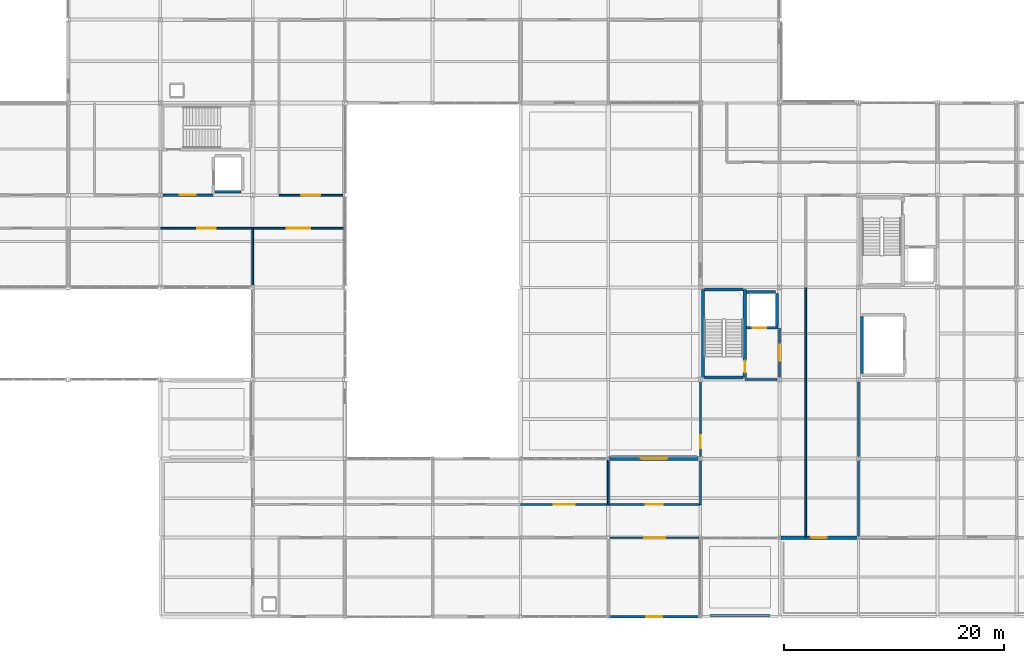
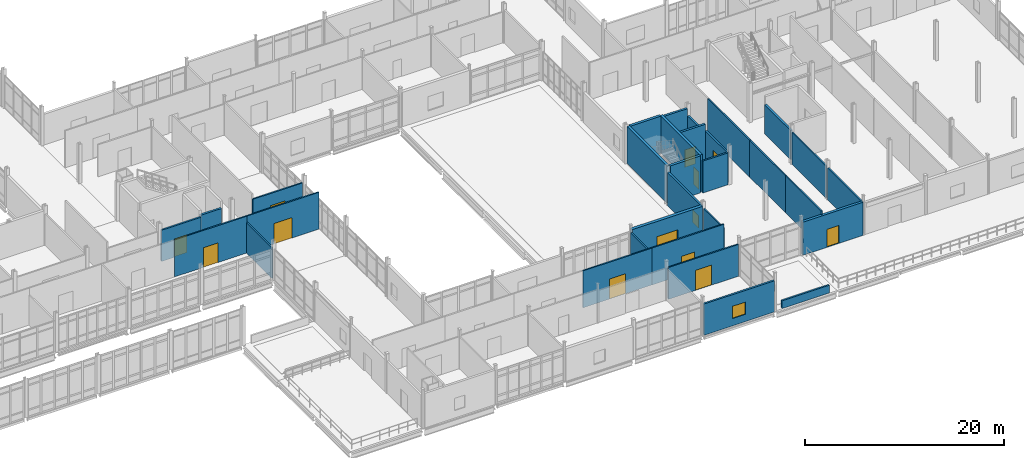
# One storey, part 161 of 186: 31 walls, 11 doors, 3 windows, 14 openings.
"""IFC4 building model written with IfcOpenShell, lengths in metres."""

from ifc_helpers import new_model, si_unit, direction, frame, frame_2d, origin, place, context, subcontext, project, spatial, rectangle, extrude, material, layer, layer_set, type_object, element, fill, save


model = new_model("IFC4")

# Units and contexts
model_context = context("Model", 3, precision=1e-05, world=origin(), true_north=direction((0.0, 1.0)))
body_context = subcontext(model_context, "Body", "Model", "MODEL_VIEW")
ifc_project = project(units=[si_unit("LENGTHUNIT", "METRE"), si_unit("AREAUNIT", "SQUARE_METRE"), si_unit("VOLUMEUNIT", "CUBIC_METRE"), si_unit("PLANEANGLEUNIT", "RADIAN"), si_unit("MASSUNIT", "GRAM", prefix="KILO")], contexts=[model_context])

# Site, building, storey
site_placement = place(None, origin())
site = spatial("IfcSite", under=ifc_project, at=site_placement, CompositionType="ELEMENT")
building_placement = place(site_placement, origin())
building = spatial("IfcBuilding", under=site, at=building_placement, Name="Calvrana Isthmian Art Gallery", CompositionType="ELEMENT")
storey_placement = place(building_placement, frame((0.0, 0.0, 5.39990234375)))
storey = spatial("IfcBuildingStorey", under=building, at=storey_placement, Name="L01", CompositionType="ELEMENT", Elevation=5.39990234375)

# Wall
ifc_material_1 = material(Name="Concrete C40/50", Category="concrete")
ifc_layer_1 = layer(ifc_material_1, 0.300048828125, Name="Concrete C40/50")
ifc_layer_set_1 = layer_set([ifc_layer_1], Name="Concrete C40/50")
wall_type_1 = type_object("IfcWallType", Name="CW-SHAFT-300", PredefinedType="SHEAR", material=ifc_layer_set_1)
wall_1_placement = place(storey_placement, frame((113.02001953125, 21.7900390625, 0.0), z_axis=(0.0, 0.0, 1.0), x_axis=(0.0, 1.0, 0.0)))
element("IfcWall", 1, at=wall_1_placement, inside=storey, type_object=wall_type_1, Name="Core C3 shear wall W L01", PredefinedType="SHEAR", context=body_context, shape_type="SweptSolid", body=[
    extrude(rectangle(XDim=8.02001953125, YDim=0.300048828125, at=frame_2d((4.010009765625, 0.0))), origin(), (0.0, 0.0, 1.0), 4.5400390625),
])

# Wall, opening, door
wall_2_placement = place(storey_placement, frame((116.840087890625, 21.7900390625, 0.0), z_axis=(0.0, 0.0, 1.0), x_axis=(0.0, 1.0, 0.0)))
wall_2 = element("IfcWall", 2, at=wall_2_placement, inside=storey, type_object=wall_type_1, Name="Core C3 shear wall E L01", PredefinedType="SHEAR", context=body_context, shape_type="SweptSolid", body=[
    extrude(rectangle(XDim=8.02001953125, YDim=0.300048828125, at=frame_2d((4.010009765625, 0.0))), origin(), (0.0, 0.0, 1.0), 4.5400390625),
])
opening_1_placement = place(wall_2_placement, frame((0.449951171875, 0.0, 0.0)))
opening_1 = element("IfcOpeningElement", 3, at=opening_1_placement, cuts=wall_2, Name="Opening D-132", PredefinedType="OPENING", context=body_context, shape_type="SweptSolid", body=[
    extrude(rectangle(XDim=1.10009765625, YDim=2.14990234375, at=frame_2d((0.550048828125, 1.074951171875))), frame((0.0, 0.16015625, 0.0), z_axis=(0.0, -1.0, 0.0), x_axis=(1.0, 0.0, 0.0)), (0.0, 0.0, 1.0), 0.320556640625),
])
ifc_material_2 = material(Name="Steel ASTM A572 Gr 50", Category="steel")
door_type_1 = type_object("IfcDoorType", Name="DR-FIRE-1100", OperationType="NOTDEFINED", PredefinedType="DOOR", material=ifc_material_2)
door_1_placement = place(opening_1_placement, origin())
door_1 = element("IfcDoor", 4, at=door_1_placement, inside=storey, type_object=door_type_1, Name="Stair ST-3 fire door L01", OperationType="SINGLE_SWING_LEFT", OverallHeight=2.14990234375, OverallWidth=1.10009765625, PredefinedType="DOOR", context=body_context, shape_type="SweptSolid", body=[
    extrude(rectangle(XDim=1.10009765625, YDim=2.14990234375, at=frame_2d((0.550048828125, 1.074951171875))), frame((0.0, 0.02490234375, 0.0), z_axis=(0.0, -1.0, 0.0), x_axis=(1.0, 0.0, 0.0)), (0.0, 0.0, 1.0), 0.050048828125),
])
fill(opening_1, door_1)

# Walls
for number, where, z_axis, x_axis, name in (
    (5, (113.169921875, 21.7900390625, 0.0), (0.0, 0.0, 1.0), (1.0, 0.0, 0.0), "Core C3 shear wall S L01"),
    (6, (113.169921875, 29.81005859375, 0.0), (0.0, 0.0, 1.0), (1.0, 0.0, 0.0), "Core C3 shear wall N L01"),
):
    element("IfcWall", number, at=place(storey_placement, frame(where, z_axis=z_axis, x_axis=x_axis)), inside=storey, type_object=wall_type_1, Name=name, PredefinedType="SHEAR", context=body_context, shape_type="SweptSolid", body=[
        extrude(rectangle(XDim=3.52001953125, YDim=0.300048828125, at=frame_2d((1.760009765625, 0.0))), origin(), (0.0, 0.0, 1.0), 4.5400390625),
    ])

# Wall, opening, window
ifc_material_3 = material(Name="Precast concrete C40/50", Category="concrete")
ifc_layer_2 = layer(ifc_material_3, 0.219970703125, Name="Precast concrete C40/50")
ifc_layer_set_2 = layer_set([ifc_layer_2], Name="Precast concrete C40/50")
wall_type_2 = type_object("IfcWallType", Name="EW-ACOUST-220", PredefinedType="SOLIDWALL", material=ifc_layer_set_2)
wall_3_placement = place(storey_placement, frame((112.673095703125, 0.0, 0.0), z_axis=(0.0, 0.0, 1.0), x_axis=(-1.0, 0.0, 0.0)))
wall_3 = element("IfcWall", 7, at=wall_3_placement, inside=storey, type_object=wall_type_2, Name="Exterior wall EW-058", PredefinedType="SOLIDWALL", context=body_context, shape_type="SweptSolid", body=[
    extrude(rectangle(XDim=8.17138671875, YDim=0.219970703125, at=frame_2d((4.085693359375, 0.0))), origin(), (0.0, 0.0, 1.0), 3.8271484375),
])
opening_2_placement = place(wall_3_placement, frame((3.335693359375, 0.0, 0.89990234375)))
opening_2 = element("IfcOpeningElement", 8, at=opening_2_placement, cuts=wall_3, Name="Opening W-026", PredefinedType="OPENING", context=body_context, shape_type="SweptSolid", body=[
    extrude(rectangle(XDim=1.5, YDim=1.5, at=frame_2d((0.75, 0.75))), frame((0.0, 0.1201171875, 0.0), z_axis=(0.0, -1.0, 0.0), x_axis=(1.0, 0.0, 0.0)), (0.0, 0.0, 1.0), 0.240478515625),
])
ifc_material_4 = material(Name="Low-E laminated solar glass", Category="glass")
window_type_1 = type_object("IfcWindowType", Name="WN-G03", PartitioningType="SINGLE_PANEL", PredefinedType="WINDOW", material=ifc_material_4)
window_1_placement = place(opening_2_placement, origin())
window_1 = element("IfcWindow", 9, at=window_1_placement, inside=storey, type_object=window_type_1, Name="Facade window W-026", OverallHeight=1.5, OverallWidth=1.5, PartitioningType="SINGLE_PANEL", PredefinedType="WINDOW", context=body_context, shape_type="SweptSolid", body=[
    extrude(rectangle(XDim=1.5, YDim=1.5, at=frame_2d((0.75, 0.75))), frame((0.0, 0.030029296875, 0.0), z_axis=(0.0, -1.0, 0.0), x_axis=(1.0, 0.0, 0.0)), (0.0, 0.0, 1.0), 0.06005859375),
])
fill(opening_2, window_1)

wall_4_placement = place(storey_placement, frame((112.800048828125, 14.583984375, 0.0), z_axis=(0.0, 0.0, 1.0), x_axis=(0.0, 1.0, 0.0)))
wall_4 = element("IfcWall", 10, at=wall_4_placement, inside=storey, type_object=wall_type_2, Name="Exterior wall EW-102", PredefinedType="SOLIDWALL", context=body_context, shape_type="SweptSolid", body=[
    extrude(rectangle(XDim=6.822998046875, YDim=0.219970703125, at=frame_2d((3.41162109375, 0.0))), origin(), (0.0, 0.0, 1.0), 4.05810546875),
])
opening_3_placement = place(wall_4_placement, frame((0.75, 0.0, 0.89990234375)))
opening_3 = element("IfcOpeningElement", 11, at=opening_3_placement, cuts=wall_4, Name="Opening W-064", PredefinedType="OPENING", context=body_context, shape_type="SweptSolid", body=[
    extrude(rectangle(XDim=1.199951171875, YDim=1.5, at=frame_2d((0.60009765625, 0.75))), frame((0.0, 0.1201171875, 0.0), z_axis=(0.0, -1.0, 0.0), x_axis=(1.0, 0.0, 0.0)), (0.0, 0.0, 1.0), 0.240478515625),
])
window_type_2 = type_object("IfcWindowType", Name="WN-G01", PartitioningType="SINGLE_PANEL", PredefinedType="WINDOW", material=ifc_material_4)
window_2_placement = place(opening_3_placement, origin())
window_2 = element("IfcWindow", 12, at=window_2_placement, inside=storey, type_object=window_type_2, Name="Facade window W-064", OverallHeight=1.5, OverallWidth=1.199951171875, PartitioningType="SINGLE_PANEL", PredefinedType="WINDOW", context=body_context, shape_type="SweptSolid", body=[
    extrude(rectangle(XDim=1.199951171875, YDim=1.5, at=frame_2d((0.60009765625, 0.75))), frame((0.0, 0.030029296875, 0.0), z_axis=(0.0, -1.0, 0.0), x_axis=(1.0, 0.0, 0.0)), (0.0, 0.0, 1.0), 0.06005859375),
])
fill(opening_3, window_2)

# Wall, opening, door
ifc_material_5 = material(Name="Pale Isthmian limestone", Category="masonry")
ifc_layer_3 = layer(ifc_material_5, 0.300048828125, Name="Pale Isthmian limestone")
ifc_layer_set_3 = layer_set([ifc_layer_3], Name="Pale Isthmian limestone")
wall_type_3 = type_object("IfcWallType", Name="EW-LIME-300", PredefinedType="SOLIDWALL", material=ifc_layer_set_3)
wall_5_placement = place(storey_placement, frame((127.098388671875, 7.199951171875, 0.0), z_axis=(0.0, 0.0, 1.0), x_axis=(-1.0, 0.0, 0.0)))
wall_5 = element("IfcWall", 13, at=wall_5_placement, inside=storey, type_object=wall_type_3, Name="Exterior wall EW-059", PredefinedType="SOLIDWALL", context=body_context, shape_type="SweptSolid", body=[
    extrude(rectangle(XDim=6.971435546875, YDim=0.300048828125, at=frame_2d((3.48583984375, 0.0))), origin(), (0.0, 0.0, 1.0), 4.05810546875),
])
opening_4_placement = place(wall_5_placement, frame((2.78564453125, 0.0, 0.0)))
opening_4 = element("IfcOpeningElement", 14, at=opening_4_placement, cuts=wall_5, Name="Opening D-T19", PredefinedType="OPENING", context=body_context, shape_type="SweptSolid", body=[
    extrude(rectangle(XDim=1.39990234375, YDim=2.199951171875, at=frame_2d((0.699951171875, 1.10009765625))), frame((0.0, 0.16015625, 0.0), z_axis=(0.0, -1.0, 0.0), x_axis=(1.0, 0.0, 0.0)), (0.0, 0.0, 1.0), 0.320556640625),
])
ifc_material_6 = material(Name="Anodized bronze aluminium 6063-T6", Category="aluminium")
door_type_2 = type_object("IfcDoorType", Name="DR-EXT-TER-1400", OperationType="NOTDEFINED", PredefinedType="DOOR", material=ifc_material_6)
door_2_placement = place(opening_4_placement, origin())
door_2 = element("IfcDoor", 15, at=door_2_placement, inside=storey, type_object=door_type_2, Name="Sculpture terrace access door D-T19", OperationType="SINGLE_SWING_RIGHT", OverallHeight=2.199951171875, OverallWidth=1.39990234375, PredefinedType="DOOR", context=body_context, shape_type="SweptSolid", body=[
    extrude(rectangle(XDim=1.39990234375, YDim=2.199951171875, at=frame_2d((0.699951171875, 1.10009765625))), frame((0.0, 0.02490234375, 0.0), z_axis=(0.0, -1.0, 0.0), x_axis=(1.0, 0.0, 0.0)), (0.0, 0.0, 1.0), 0.050048828125),
])
fill(opening_4, door_2)

# Wall, opening, window
ifc_layer_4 = layer(ifc_material_3, 0.35009765625, Name="Precast concrete C40/50")
ifc_layer_set_4 = layer_set([ifc_layer_4], Name="Precast concrete C40/50")
wall_type_4 = type_object("IfcWallType", Name="EW-PREC-350", PredefinedType="SOLIDWALL", material=ifc_layer_set_4)
wall_6_placement = place(storey_placement, frame((104.501708984375, 14.39990234375, 0.0), z_axis=(0.0, 0.0, 1.0), x_axis=(1.0, 0.0, 0.0)))
wall_6 = element("IfcWall", 16, at=wall_6_placement, inside=storey, type_object=wall_type_4, Name="Exterior wall EW-065", PredefinedType="SOLIDWALL", context=body_context, shape_type="SweptSolid", body=[
    extrude(rectangle(XDim=8.11181640625, YDim=0.35009765625, at=frame_2d((4.055908203125, 0.0))), origin(), (0.0, 0.0, 1.0), 4.26611328125),
])
opening_5_placement = place(wall_6_placement, frame((2.85595703125, 0.0, 0.89990234375)))
opening_5 = element("IfcOpeningElement", 17, at=opening_5_placement, cuts=wall_6, Name="Opening W-031", PredefinedType="OPENING", context=body_context, shape_type="SweptSolid", body=[
    extrude(rectangle(XDim=2.39990234375, YDim=1.5, at=frame_2d((1.199951171875, 0.75))), frame((0.0, 0.185302734375, 0.0), z_axis=(0.0, -1.0, 0.0), x_axis=(1.0, 0.0, 0.0)), (0.0, 0.0, 1.0), 0.37060546875),
])
window_type_3 = type_object("IfcWindowType", Name="WN-G08", PartitioningType="DOUBLE_PANEL_VERTICAL", PredefinedType="WINDOW", material=ifc_material_4)
window_3_placement = place(opening_5_placement, origin())
window_3 = element("IfcWindow", 18, at=window_3_placement, inside=storey, type_object=window_type_3, Name="Facade window W-031", OverallHeight=1.5, OverallWidth=2.39990234375, PartitioningType="SINGLE_PANEL", PredefinedType="WINDOW", context=body_context, shape_type="SweptSolid", body=[
    extrude(rectangle(XDim=2.39990234375, YDim=1.5, at=frame_2d((1.199951171875, 0.75))), frame((0.0, 0.030029296875, 0.0), z_axis=(0.0, -1.0, 0.0), x_axis=(1.0, 0.0, 0.0)), (0.0, 0.0, 1.0), 0.06005859375),
])
fill(opening_5, window_3)

# Wall, opening, door
ifc_material_7 = material(Name="Acoustic gypsum ceiling", Category="gypsum")
ifc_layer_5 = layer(ifc_material_7, 0.199951171875, Name="Acoustic gypsum ceiling")
ifc_layer_set_5 = layer_set([ifc_layer_5], Name="Acoustic gypsum ceiling")
wall_type_5 = type_object("IfcWallType", Name="PW-FIRE-200", PredefinedType="PARTITIONING", material=ifc_layer_set_5)
wall_7_placement = place(storey_placement, frame((63.820068359375, 38.39990234375, 0.0), z_axis=(0.0, 0.0, 1.0), x_axis=(1.0, 0.0, 0.0)))
wall_7 = element("IfcWall", 19, at=wall_7_placement, inside=storey, type_object=wall_type_5, Name="Core C2 lobby enclosure L01", PredefinedType="PARTITIONING", context=body_context, shape_type="SweptSolid", body=[
    extrude(rectangle(XDim=4.559814453125, YDim=0.199951171875, at=frame_2d((2.27978515625, 0.0))), origin(), (0.0, 0.0, 1.0), 3.8271484375),
])
opening_6_placement = place(wall_7_placement, frame((1.554931640625, 0.0, 0.0)))
opening_6 = element("IfcOpeningElement", 20, at=opening_6_placement, cuts=wall_7, Name="Opening D-119", PredefinedType="OPENING", context=body_context, shape_type="SweptSolid", body=[
    extrude(rectangle(XDim=1.449951171875, YDim=2.199951171875, at=frame_2d((0.72509765625, 1.10009765625))), frame((0.0, 0.1103515625, 0.0), z_axis=(0.0, -1.0, 0.0), x_axis=(1.0, 0.0, 0.0)), (0.0, 0.0, 1.0), 0.220458984375),
])
door_type_3 = type_object("IfcDoorType", Name="DR-LOBBY-1450", OperationType="DOUBLE_DOOR_SINGLE_SWING", PredefinedType="DOOR", material=ifc_material_2)
door_3_placement = place(opening_6_placement, origin())
door_3 = element("IfcDoor", 21, at=door_3_placement, inside=storey, type_object=door_type_3, Name="Core C2 lobby fire door L01", OperationType="DOUBLE_DOOR_SINGLE_SWING", OverallHeight=2.199951171875, OverallWidth=1.449951171875, PredefinedType="DOOR", context=body_context, shape_type="SweptSolid", body=[
    extrude(rectangle(XDim=1.449951171875, YDim=2.199951171875, at=frame_2d((0.72509765625, 1.10009765625))), frame((0.0, 0.02490234375, 0.0), z_axis=(0.0, -1.0, 0.0), x_axis=(1.0, 0.0, 0.0)), (0.0, 0.0, 1.0), 0.050048828125),
])
fill(opening_6, door_3)

# Wall
wall_8_placement = place(storey_placement, frame((116.85009765625, 21.60009765625, 0.0), z_axis=(0.0, 0.0, 1.0), x_axis=(1.0, 0.0, 0.0)))
element("IfcWall", 22, at=wall_8_placement, inside=storey, type_object=wall_type_5, Name="Core C3 lobby south closure L01", PredefinedType="PARTITIONING", context=body_context, shape_type="SweptSolid", body=[
    extrude(rectangle(XDim=2.929931640625, YDim=0.199951171875, at=frame_2d((1.46484375, 0.0))), origin(), (0.0, 0.0, 1.0), 3.9130859375),
])

# Wall, opening, door
wall_9_placement = place(storey_placement, frame((120.0, 21.820068359375, 0.0), z_axis=(0.0, 0.0, 1.0), x_axis=(0.0, 1.0, 0.0)))
wall_9 = element("IfcWall", 23, at=wall_9_placement, inside=storey, type_object=wall_type_5, Name="Core C3 lobby enclosure L01", PredefinedType="PARTITIONING", context=body_context, shape_type="SweptSolid", body=[
    extrude(rectangle(XDim=4.4599609375, YDim=0.199951171875, at=frame_2d((2.22998046875, 0.0))), origin(), (0.0, 0.0, 1.0), 3.6640625),
])
opening_7_placement = place(wall_9_placement, frame((1.5048828125, 0.0, 0.0)))
opening_7 = element("IfcOpeningElement", 24, at=opening_7_placement, cuts=wall_9, Name="Opening D-133", PredefinedType="OPENING", context=body_context, shape_type="SweptSolid", body=[
    extrude(rectangle(XDim=1.449951171875, YDim=2.199951171875, at=frame_2d((0.72509765625, 1.10009765625))), frame((0.0, 0.1103515625, 0.0), z_axis=(0.0, -1.0, 0.0), x_axis=(1.0, 0.0, 0.0)), (0.0, 0.0, 1.0), 0.220458984375),
])
door_4_placement = place(opening_7_placement, origin())
door_4 = element("IfcDoor", 25, at=door_4_placement, inside=storey, type_object=door_type_3, Name="Core C3 lobby fire door L01", OperationType="DOUBLE_DOOR_SINGLE_SWING", OverallHeight=2.199951171875, OverallWidth=1.449951171875, PredefinedType="DOOR", context=body_context, shape_type="SweptSolid", body=[
    extrude(rectangle(XDim=1.449951171875, YDim=2.199951171875, at=frame_2d((0.72509765625, 1.10009765625))), frame((0.0, 0.02490234375, 0.0), z_axis=(0.0, -1.0, 0.0), x_axis=(1.0, 0.0, 0.0)), (0.0, 0.0, 1.0), 0.050048828125),
])
fill(opening_7, door_4)

ifc_layer_6 = layer(ifc_material_7, 0.159912109375, Name="Acoustic gypsum ceiling")
ifc_layer_set_6 = layer_set([ifc_layer_6], Name="Acoustic gypsum ceiling")
wall_type_6 = type_object("IfcWallType", Name="PW-GAL-160", PredefinedType="PARTITIONING", material=ifc_layer_set_6)
wall_10_placement = place(storey_placement, frame((63.610107421875, 35.389892578125, 0.0), z_axis=(0.0, 0.0, 1.0), x_axis=(1.0, 0.0, 0.0)))
wall_10 = element("IfcWall", 26, at=wall_10_placement, inside=storey, type_object=wall_type_6, Name="Interior partition PW-311", PredefinedType="PARTITIONING", context=body_context, shape_type="SweptSolid", body=[
    extrude(rectangle(XDim=8.3798828125, YDim=0.159912109375, at=frame_2d((4.18994140625, 0.0))), origin(), (0.0, 0.0, 1.0), 4.52001953125),
])
opening_8_placement = place(wall_10_placement, frame((3.340087890625, 0.0, 0.0)))
opening_8 = element("IfcOpeningElement", 27, at=opening_8_placement, cuts=wall_10, Name="Opening D-357", PredefinedType="OPENING", context=body_context, shape_type="SweptSolid", body=[
    extrude(rectangle(XDim=1.699951171875, YDim=2.39990234375, at=frame_2d((0.85009765625, 1.199951171875))), frame((0.0, 0.09033203125, 0.0), z_axis=(0.0, -1.0, 0.0), x_axis=(1.0, 0.0, 0.0)), (0.0, 0.0, 1.0), 0.180419921875),
])
ifc_material_8 = material(Name="Timber gallery flooring", Category="wood")
door_type_4 = type_object("IfcDoorType", Name="DR-GAL-1700", OperationType="DOUBLE_DOOR_SINGLE_SWING", PredefinedType="DOOR", material=ifc_material_8)
door_5_placement = place(opening_8_placement, origin())
door_5 = element("IfcDoor", 28, at=door_5_placement, inside=storey, type_object=door_type_4, Name="Interior door D-357", OperationType="DOUBLE_DOOR_SINGLE_SWING", OverallHeight=2.39990234375, OverallWidth=1.699951171875, PredefinedType="DOOR", context=body_context, shape_type="SweptSolid", body=[
    extrude(rectangle(XDim=1.699951171875, YDim=2.39990234375, at=frame_2d((0.85009765625, 1.199951171875))), frame((0.0, 0.02490234375, 0.0), z_axis=(0.0, -1.0, 0.0), x_axis=(1.0, 0.0, 0.0)), (0.0, 0.0, 1.0), 0.050048828125),
])
fill(opening_8, door_5)

# Wall
wall_11_placement = place(storey_placement, frame((72.0, 30.202880859375, 0.0), z_axis=(0.0, 0.0, 1.0), x_axis=(0.0, 1.0, 0.0)))
element("IfcWall", 29, at=wall_11_placement, inside=storey, type_object=wall_type_6, Name="Interior partition PW-312", PredefinedType="PARTITIONING", context=body_context, shape_type="SweptSolid", body=[
    extrude(rectangle(XDim=5.177001953125, YDim=0.159912109375, at=frame_2d((2.58837890625, 0.0))), origin(), (0.0, 0.0, 1.0), 3.748046875),
])

# Wall, opening, door
wall_12_placement = place(storey_placement, frame((72.010009765625, 35.389892578125, 0.0), z_axis=(0.0, 0.0, 1.0), x_axis=(1.0, 0.0, 0.0)))
wall_12 = element("IfcWall", 30, at=wall_12_placement, inside=storey, type_object=wall_type_6, Name="Interior partition PW-313", PredefinedType="PARTITIONING", context=body_context, shape_type="SweptSolid", body=[
    extrude(rectangle(XDim=8.330078125, YDim=0.159912109375, at=frame_2d((4.1650390625, 0.0))), origin(), (0.0, 0.0, 1.0), 4.52001953125),
])
opening_9_placement = place(wall_12_placement, frame((3.114990234375, 0.0, 0.0)))
opening_9 = element("IfcOpeningElement", 31, at=opening_9_placement, cuts=wall_12, Name="Opening D-358", PredefinedType="OPENING", context=body_context, shape_type="SweptSolid", body=[
    extrude(rectangle(XDim=2.10009765625, YDim=2.5, at=frame_2d((1.050048828125, 1.25))), frame((0.0, 0.09033203125, 0.0), z_axis=(0.0, -1.0, 0.0), x_axis=(1.0, 0.0, 0.0)), (0.0, 0.0, 1.0), 0.180419921875),
])
door_type_5 = type_object("IfcDoorType", Name="DR-GAL-2100", OperationType="DOUBLE_DOOR_SINGLE_SWING", PredefinedType="DOOR", material=ifc_material_8)
door_6_placement = place(opening_9_placement, origin())
door_6 = element("IfcDoor", 32, at=door_6_placement, inside=storey, type_object=door_type_5, Name="Interior door D-358", OperationType="DOUBLE_DOOR_SINGLE_SWING", OverallHeight=2.5, OverallWidth=2.10009765625, PredefinedType="DOOR", context=body_context, shape_type="SweptSolid", body=[
    extrude(rectangle(XDim=2.10009765625, YDim=2.5, at=frame_2d((1.050048828125, 1.25))), frame((0.0, 0.02490234375, 0.0), z_axis=(0.0, -1.0, 0.0), x_axis=(1.0, 0.0, 0.0)), (0.0, 0.0, 1.0), 0.050048828125),
])
fill(opening_9, door_6)

wall_13_placement = place(storey_placement, frame((74.39990234375, 38.39990234375, 0.0), z_axis=(0.0, 0.0, 1.0), x_axis=(1.0, 0.0, 0.0)))
wall_13 = element("IfcWall", 33, at=wall_13_placement, inside=storey, type_object=wall_type_6, Name="Interior partition PW-323", PredefinedType="PARTITIONING", context=body_context, shape_type="SweptSolid", body=[
    extrude(rectangle(XDim=5.7880859375, YDim=0.159912109375, at=frame_2d((2.89404296875, 0.0))), origin(), (0.0, 0.0, 1.0), 3.898193359375),
])
opening_10_placement = place(wall_13_placement, frame((2.0439453125, 0.0, 0.0)))
opening_10 = element("IfcOpeningElement", 34, at=opening_10_placement, cuts=wall_13, Name="Opening D-363", PredefinedType="OPENING", context=body_context, shape_type="SweptSolid", body=[
    extrude(rectangle(XDim=1.699951171875, YDim=2.39990234375, at=frame_2d((0.85009765625, 1.199951171875))), frame((0.0, 0.09033203125, 0.0), z_axis=(0.0, -1.0, 0.0), x_axis=(1.0, 0.0, 0.0)), (0.0, 0.0, 1.0), 0.180419921875),
])
door_7_placement = place(opening_10_placement, origin())
door_7 = element("IfcDoor", 35, at=door_7_placement, inside=storey, type_object=door_type_4, Name="Interior door D-363", OperationType="DOUBLE_DOOR_SINGLE_SWING", OverallHeight=2.39990234375, OverallWidth=1.699951171875, PredefinedType="DOOR", context=body_context, shape_type="SweptSolid", body=[
    extrude(rectangle(XDim=1.699951171875, YDim=2.39990234375, at=frame_2d((0.85009765625, 1.199951171875))), frame((0.0, 0.02490234375, 0.0), z_axis=(0.0, -1.0, 0.0), x_axis=(1.0, 0.0, 0.0)), (0.0, 0.0, 1.0), 0.050048828125),
])
fill(opening_10, door_7)

wall_14_placement = place(storey_placement, frame((104.5673828125, 7.199951171875, 0.0), z_axis=(0.0, 0.0, 1.0), x_axis=(1.0, 0.0, 0.0)))
wall_14 = element("IfcWall", 36, at=wall_14_placement, inside=storey, type_object=wall_type_6, Name="Interior partition PW-332", PredefinedType="PARTITIONING", context=body_context, shape_type="SweptSolid", body=[
    extrude(rectangle(XDim=8.115966796875, YDim=0.159912109375, at=frame_2d((4.05810546875, 0.0))), origin(), (0.0, 0.0, 1.0), 3.898193359375),
])
opening_11_placement = place(wall_14_placement, frame((3.10791015625, 0.0, 0.0)))
opening_11 = element("IfcOpeningElement", 37, at=opening_11_placement, cuts=wall_14, Name="Opening D-368", PredefinedType="OPENING", context=body_context, shape_type="SweptSolid", body=[
    extrude(rectangle(XDim=1.89990234375, YDim=2.449951171875, at=frame_2d((0.949951171875, 1.22509765625))), frame((0.0, 0.09033203125, 0.0), z_axis=(0.0, -1.0, 0.0), x_axis=(1.0, 0.0, 0.0)), (0.0, 0.0, 1.0), 0.180419921875),
])
door_type_6 = type_object("IfcDoorType", Name="DR-GAL-1900", OperationType="DOUBLE_DOOR_SINGLE_SWING", PredefinedType="DOOR", material=ifc_material_8)
door_8_placement = place(opening_11_placement, origin())
door_8 = element("IfcDoor", 38, at=door_8_placement, inside=storey, type_object=door_type_6, Name="Interior door D-368", OperationType="DOUBLE_DOOR_SINGLE_SWING", OverallHeight=2.449951171875, OverallWidth=1.89990234375, PredefinedType="DOOR", context=body_context, shape_type="SweptSolid", body=[
    extrude(rectangle(XDim=1.89990234375, YDim=2.449951171875, at=frame_2d((0.949951171875, 1.22509765625))), frame((0.0, 0.02490234375, 0.0), z_axis=(0.0, -1.0, 0.0), x_axis=(1.0, 0.0, 0.0)), (0.0, 0.0, 1.0), 0.050048828125),
])
fill(opening_11, door_8)

wall_15_placement = place(storey_placement, frame((96.409912109375, 10.2099609375, 0.0), z_axis=(0.0, 0.0, 1.0), x_axis=(1.0, 0.0, 0.0)))
wall_15 = element("IfcWall", 39, at=wall_15_placement, inside=storey, type_object=wall_type_6, Name="Interior partition PW-338", PredefinedType="PARTITIONING", context=body_context, shape_type="SweptSolid", body=[
    extrude(rectangle(XDim=7.97998046875, YDim=0.159912109375, at=frame_2d((3.989990234375, 0.0))), origin(), (0.0, 0.0, 1.0), 4.52001953125),
])
opening_12_placement = place(wall_15_placement, frame((3.0400390625, 0.0, 0.0)))
opening_12 = element("IfcOpeningElement", 40, at=opening_12_placement, cuts=wall_15, Name="Opening D-372", PredefinedType="OPENING", context=body_context, shape_type="SweptSolid", body=[
    extrude(rectangle(XDim=1.89990234375, YDim=2.449951171875, at=frame_2d((0.949951171875, 1.22509765625))), frame((0.0, 0.09033203125, 0.0), z_axis=(0.0, -1.0, 0.0), x_axis=(1.0, 0.0, 0.0)), (0.0, 0.0, 1.0), 0.180419921875),
])
door_9_placement = place(opening_12_placement, origin())
door_9 = element("IfcDoor", 41, at=door_9_placement, inside=storey, type_object=door_type_6, Name="Interior door D-372", OperationType="DOUBLE_DOOR_SINGLE_SWING", OverallHeight=2.449951171875, OverallWidth=1.89990234375, PredefinedType="DOOR", context=body_context, shape_type="SweptSolid", body=[
    extrude(rectangle(XDim=1.89990234375, YDim=2.449951171875, at=frame_2d((0.949951171875, 1.22509765625))), frame((0.0, 0.02490234375, 0.0), z_axis=(0.0, -1.0, 0.0), x_axis=(1.0, 0.0, 0.0)), (0.0, 0.0, 1.0), 0.050048828125),
])
fill(opening_12, door_9)

# Wall
wall_16_placement = place(storey_placement, frame((104.39990234375, 10.219970703125, 0.0), z_axis=(0.0, 0.0, 1.0), x_axis=(0.0, 1.0, 0.0)))
element("IfcWall", 42, at=wall_16_placement, inside=storey, type_object=wall_type_6, Name="Interior partition PW-339", PredefinedType="PARTITIONING", context=body_context, shape_type="SweptSolid", body=[
    extrude(rectangle(XDim=4.0634765625, YDim=0.159912109375, at=frame_2d((2.03173828125, 0.0))), origin(), (0.0, 0.0, 1.0), 3.9130859375),
])

# Wall, opening, door
wall_17_placement = place(storey_placement, frame((104.409912109375, 10.2099609375, 0.0), z_axis=(0.0, 0.0, 1.0), x_axis=(1.0, 0.0, 0.0)))
wall_17 = element("IfcWall", 43, at=wall_17_placement, inside=storey, type_object=wall_type_6, Name="Interior partition PW-340", PredefinedType="PARTITIONING", context=body_context, shape_type="SweptSolid", body=[
    extrude(rectangle(XDim=8.330078125, YDim=0.159912109375, at=frame_2d((4.1650390625, 0.0))), origin(), (0.0, 0.0, 1.0), 4.52001953125),
])
opening_13_placement = place(wall_17_placement, frame((3.389892578125, 0.0, 0.0)))
opening_13 = element("IfcOpeningElement", 44, at=opening_13_placement, cuts=wall_17, Name="Opening D-373", PredefinedType="OPENING", context=body_context, shape_type="SweptSolid", body=[
    extrude(rectangle(XDim=1.550048828125, YDim=2.300048828125, at=frame_2d((0.77490234375, 1.14990234375))), frame((0.0, 0.09033203125, 0.0), z_axis=(0.0, -1.0, 0.0), x_axis=(1.0, 0.0, 0.0)), (0.0, 0.0, 1.0), 0.180419921875),
])
door_type_7 = type_object("IfcDoorType", Name="DR-AUD-1550", OperationType="DOUBLE_DOOR_SINGLE_SWING", PredefinedType="DOOR", material=ifc_material_8)
door_10_placement = place(opening_13_placement, origin())
door_10 = element("IfcDoor", 45, at=door_10_placement, inside=storey, type_object=door_type_7, Name="Interior door D-373", OperationType="DOUBLE_DOOR_SINGLE_SWING", OverallHeight=2.300048828125, OverallWidth=1.550048828125, PredefinedType="DOOR", context=body_context, shape_type="SweptSolid", body=[
    extrude(rectangle(XDim=1.550048828125, YDim=2.300048828125, at=frame_2d((0.77490234375, 1.14990234375))), frame((0.0, 0.02490234375, 0.0), z_axis=(0.0, -1.0, 0.0), x_axis=(1.0, 0.0, 0.0)), (0.0, 0.0, 1.0), 0.050048828125),
])
fill(opening_13, door_10)

# Walls
wall_18_placement = place(storey_placement, frame((112.800048828125, 10.219970703125, 0.0), z_axis=(0.0, 0.0, 1.0), x_axis=(0.0, 1.0, 0.0)))
element("IfcWall", 46, at=wall_18_placement, inside=storey, type_object=wall_type_6, Name="Interior partition PW-341", PredefinedType="PARTITIONING", context=body_context, shape_type="SweptSolid", body=[
    extrude(rectangle(XDim=3.98095703125, YDim=0.159912109375, at=frame_2d((1.990478515625, 0.0))), origin(), (0.0, 0.0, 1.0), 3.987060546875),
])
wall_19_placement = place(storey_placement, frame((122.39990234375, 7.239990234375, 0.0), z_axis=(0.0, 0.0, 1.0), x_axis=(0.0, 1.0, 0.0)))
element("IfcWall", 47, at=wall_19_placement, inside=storey, type_object=wall_type_6, Name="Interior partition PW-379", PredefinedType="PARTITIONING", context=body_context, shape_type="SweptSolid", body=[
    extrude(rectangle(XDim=7.139892578125, YDim=0.159912109375, at=frame_2d((3.56982421875, 0.0))), origin(), (0.0, 0.0, 1.0), 4.52001953125),
])
wall_20_placement = place(storey_placement, frame((122.39990234375, 14.419921875, 0.0), z_axis=(0.0, 0.0, 1.0), x_axis=(0.0, 1.0, 0.0)))
element("IfcWall", 48, at=wall_20_placement, inside=storey, type_object=wall_type_6, Name="Interior partition PW-380", PredefinedType="PARTITIONING", context=body_context, shape_type="SweptSolid", body=[
    extrude(rectangle(XDim=7.16015625, YDim=0.159912109375, at=frame_2d((3.580078125, 0.0))), origin(), (0.0, 0.0, 1.0), 4.52001953125),
])
wall_21_placement = place(storey_placement, frame((122.39990234375, 21.6201171875, 0.0), z_axis=(0.0, 0.0, 1.0), x_axis=(0.0, 1.0, 0.0)))
element("IfcWall", 49, at=wall_21_placement, inside=storey, type_object=wall_type_6, Name="Interior partition PW-381", PredefinedType="PARTITIONING", context=body_context, shape_type="SweptSolid", body=[
    extrude(rectangle(XDim=8.35986328125, YDim=0.159912109375, at=frame_2d((4.179931640625, 0.0))), origin(), (0.0, 0.0, 1.0), 4.52001953125),
])
wall_22_placement = place(storey_placement, frame((127.199951171875, 7.316650390625, 0.0), z_axis=(0.0, 0.0, 1.0), x_axis=(0.0, 1.0, 0.0)))
element("IfcWall", 50, at=wall_22_placement, inside=storey, type_object=wall_type_6, Name="Interior partition PW-384", PredefinedType="PARTITIONING", context=body_context, shape_type="SweptSolid", body=[
    extrude(rectangle(XDim=6.890380859375, YDim=0.159912109375, at=frame_2d((3.4453125, 0.0))), origin(), (0.0, 0.0, 1.0), 3.908203125),
])
wall_23_placement = place(storey_placement, frame((127.199951171875, 14.593017578125, 0.0), z_axis=(0.0, 0.0, 1.0), x_axis=(0.0, 1.0, 0.0)))
element("IfcWall", 51, at=wall_23_placement, inside=storey, type_object=wall_type_6, Name="Interior partition PW-385", PredefinedType="PARTITIONING", context=body_context, shape_type="SweptSolid", body=[
    extrude(rectangle(XDim=6.803955078125, YDim=0.159912109375, at=frame_2d((3.40185546875, 0.0))), origin(), (0.0, 0.0, 1.0), 3.9130859375),
])
ifc_material_9 = material(Name="Concrete C35/45", Category="concrete")
ifc_layer_7 = layer(ifc_material_9, 0.25, Name="Concrete C35/45")
ifc_layer_set_7 = layer_set([ifc_layer_7], Name="Concrete C35/45")
wall_type_7 = type_object("IfcWallType", Name="PW-SHAFT-250", PredefinedType="PARTITIONING", material=ifc_layer_set_7)
wall_24_placement = place(storey_placement, frame((68.550048828125, 38.719970703125, 0.0), z_axis=(0.0, 0.0, 1.0), x_axis=(1.0, 0.0, 0.0)))
element("IfcWall", 52, at=wall_24_placement, inside=storey, type_object=wall_type_7, Name="Lift EL-02 shaft wall S L01", PredefinedType="PARTITIONING", context=body_context, shape_type="SweptSolid", body=[
    extrude(rectangle(XDim=2.39990234375, YDim=0.25, at=frame_2d((1.199951171875, 0.0))), origin(), (0.0, 0.0, 1.0), 3.8271484375),
])
wall_25_placement = place(storey_placement, frame((116.989990234375, 29.580078125, 0.0), z_axis=(0.0, 0.0, 1.0), x_axis=(1.0, 0.0, 0.0)))
element("IfcWall", 53, at=wall_25_placement, inside=storey, type_object=wall_type_7, Name="Lift EL-03 shaft wall N L01", PredefinedType="PARTITIONING", context=body_context, shape_type="SweptSolid", body=[
    extrude(rectangle(XDim=2.659912109375, YDim=0.25, at=frame_2d((1.330078125, 0.0))), origin(), (0.0, 0.0, 1.0), 4.5400390625),
])
wall_26_placement = place(storey_placement, frame((119.780029296875, 26.449951171875, 0.0), z_axis=(0.0, 0.0, 1.0), x_axis=(0.0, 1.0, 0.0)))
element("IfcWall", 54, at=wall_26_placement, inside=storey, type_object=wall_type_7, Name="Lift EL-03 shaft wall E L01", PredefinedType="PARTITIONING", context=body_context, shape_type="SweptSolid", body=[
    extrude(rectangle(XDim=3.0, YDim=0.25, at=frame_2d((1.5, 0.0))), origin(), (0.0, 0.0, 1.0), 3.6640625),
])

# Wall, opening, door
wall_27_placement = place(storey_placement, frame((116.989990234375, 26.320068359375, 0.0), z_axis=(0.0, 0.0, 1.0), x_axis=(1.0, 0.0, 0.0)))
wall_27 = element("IfcWall", 55, at=wall_27_placement, inside=storey, type_object=wall_type_7, Name="Lift EL-03 shaft wall S L01", PredefinedType="PARTITIONING", context=body_context, shape_type="SweptSolid", body=[
    extrude(rectangle(XDim=2.889892578125, YDim=0.25, at=frame_2d((1.44482421875, 0.0))), origin(), (0.0, 0.0, 1.0), 4.5400390625),
])
opening_14_placement = place(wall_27_placement, frame((0.550048828125, 0.0, 0.0)))
opening_14 = element("IfcOpeningElement", 56, at=opening_14_placement, cuts=wall_27, Name="Opening LD-03-L01", PredefinedType="OPENING", context=body_context, shape_type="SweptSolid", body=[
    extrude(rectangle(XDim=1.25, YDim=2.14990234375, at=frame_2d((0.625, 1.074951171875))), frame((0.0, 0.13525390625, 0.0), z_axis=(0.0, -1.0, 0.0), x_axis=(1.0, 0.0, 0.0)), (0.0, 0.0, 1.0), 0.2705078125),
])
ifc_material_10 = material(Name="Stainless steel 316", Category="steel")
door_type_8 = type_object("IfcDoorType", Name="DR-LIFT-1250", OperationType="DOUBLE_DOOR_SLIDING", PredefinedType="DOOR", material=ifc_material_10)
door_11_placement = place(opening_14_placement, origin())
door_11 = element("IfcDoor", 57, at=door_11_placement, inside=storey, type_object=door_type_8, Name="Lift EL-03 sliding landing door L01", OperationType="DOUBLE_DOOR_SLIDING", OverallHeight=2.14990234375, OverallWidth=1.25, PredefinedType="DOOR", context=body_context, shape_type="SweptSolid", body=[
    extrude(rectangle(XDim=1.25, YDim=2.14990234375, at=frame_2d((0.625, 1.074951171875))), frame((0.0, 0.02490234375, 0.0), z_axis=(0.0, -1.0, 0.0), x_axis=(1.0, 0.0, 0.0)), (0.0, 0.0, 1.0), 0.050048828125),
])
fill(opening_14, door_11)

# Walls
wall_28_placement = place(storey_placement, frame((127.52001953125, 22.14990234375, 0.0), z_axis=(0.0, 0.0, 1.0), x_axis=(0.0, 1.0, 0.0)))
element("IfcWall", 58, at=wall_28_placement, inside=storey, type_object=wall_type_7, Name="Art goods lift L-G1 shaft W L01", PredefinedType="PARTITIONING", context=body_context, shape_type="SweptSolid", body=[
    extrude(rectangle(XDim=5.2001953125, YDim=0.25, at=frame_2d((2.60009765625, 0.0))), origin(), (0.0, 0.0, 1.0), 3.593017578125),
])
ifc_layer_8 = layer(ifc_material_5, 0.199951171875, Name="Pale Isthmian limestone")
ifc_layer_set_8 = layer_set([ifc_layer_8], Name="Pale Isthmian limestone")
wall_type_8 = type_object("IfcWallType", Name="WL-PARA-200", PredefinedType="PARAPET", material=ifc_layer_set_8)
wall_29_placement = place(storey_placement, frame((113.64990234375, 0.1201171875, 0.0), z_axis=(0.0, 0.0, 1.0), x_axis=(1.0, 0.0, 0.0)))
element("IfcWall", 59, at=wall_29_placement, inside=storey, type_object=wall_type_8, Name="Roof parapet WP-06", PredefinedType="PARAPET", context=body_context, shape_type="SweptSolid", body=[
    extrude(rectangle(XDim=5.5, YDim=0.199951171875, at=frame_2d((2.75, 0.0))), origin(), (0.0, 0.0, 1.0), 0.9501953125),
])

save(model, "model.ifc")
